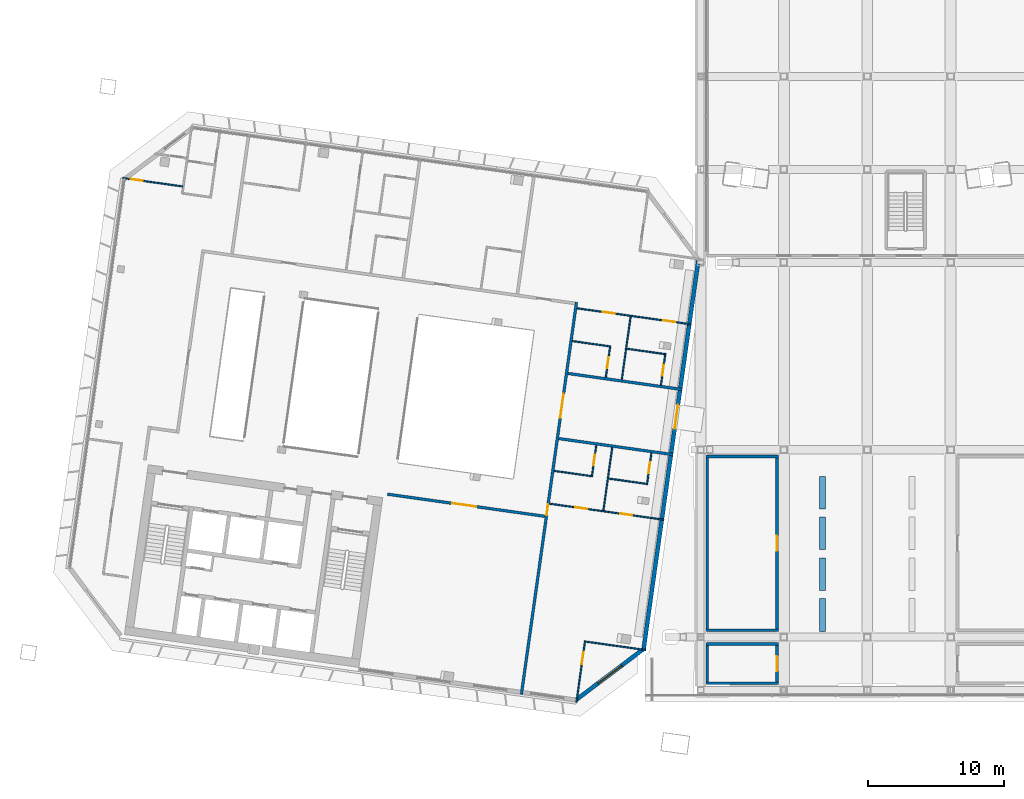
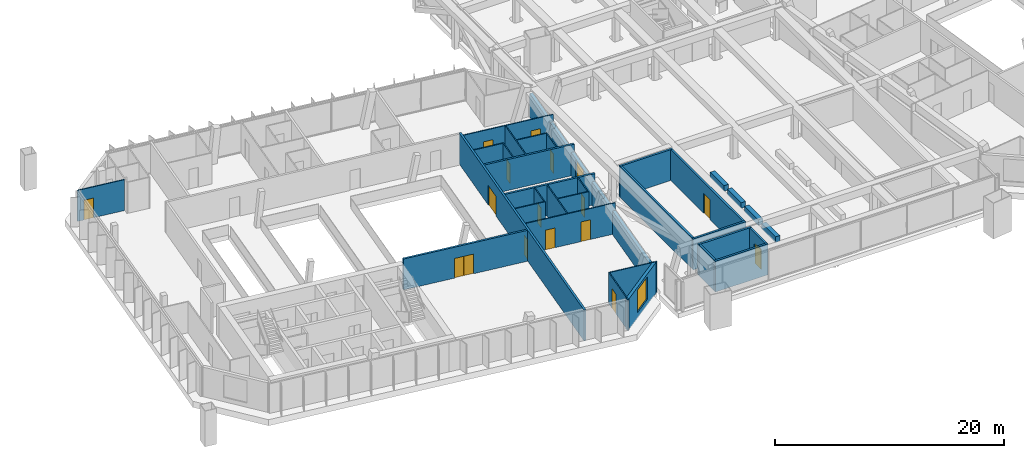
# One storey, part 16 of 25: 33 walls, 16 doors, 1 window, 17 openings.
"""IFC4 building model written with IfcOpenShell, lengths in metres."""

from ifc_helpers import new_model, si_unit, direction, frame, frame_2d, origin, place, context, subcontext, project, spatial, rectangle, extrude, material, layer, layer_set, type_object, element, fill, save


model = new_model("IFC4")

# Units and contexts
model_context = context("Model", 3, precision=1e-05, world=origin(), true_north=direction((0.0, 1.0)))
body_context = subcontext(model_context, "Body", "Model", "MODEL_VIEW")
ifc_project = project(units=[si_unit("LENGTHUNIT", "METRE"), si_unit("AREAUNIT", "SQUARE_METRE"), si_unit("VOLUMEUNIT", "CUBIC_METRE"), si_unit("PLANEANGLEUNIT", "RADIAN"), si_unit("MASSUNIT", "GRAM", prefix="KILO")], contexts=[model_context])

# Site, building, storey
site_placement = place(None, origin())
site = spatial("IfcSite", under=ifc_project, at=site_placement, CompositionType="ELEMENT")
building_placement = place(site_placement, origin())
building = spatial("IfcBuilding", under=site, at=building_placement, Name="Mirante Cascada Hotel Towers", CompositionType="ELEMENT")
storey_placement = place(building_placement, frame((0.0, 0.0, 266.0)))
storey = spatial("IfcBuildingStorey", under=building, at=storey_placement, Name="L64", CompositionType="ELEMENT", Elevation=266.0)

# Wall, opening, door
ifc_material_1 = material(Name="Fire-rated plasterboard on metal studs")
ifc_layer_1 = layer(ifc_material_1, 0.2)
ifc_layer_set_1 = layer_set([ifc_layer_1], Name="Compartment wall 200 EI 120")
wall_type_1 = type_object("IfcWallType", Name="Compartment wall 200 EI 120", PredefinedType="PARTITIONING", material=ifc_layer_set_1)
wall_1_placement = place(storey_placement, frame((-23.6773, -8.7456, 0.0), z_axis=(0.0, 0.0, 1.0), x_axis=(-0.9902683, 0.1391714, 0.0)))
wall_1 = element("IfcWall", 1, at=wall_1_placement, inside=storey, type_object=wall_type_1, Name="Wall 1-L64-03", PredefinedType="PARTITIONING", context=body_context, shape_type="SweptSolid", body=[
    extrude(rectangle(XDim=11.7, YDim=0.2, at=frame_2d((5.85, 0.0))), origin(), (0.0, 0.0, 1.0), 3.3),
])
opening_1_placement = place(wall_1_placement, frame((5.1, 0.0, 0.0)))
opening_1 = element("IfcOpeningElement", 2, at=opening_1_placement, cuts=wall_1, Name="Opening D1-L64-01", PredefinedType="OPENING", context=body_context, shape_type="SweptSolid", body=[
    extrude(rectangle(XDim=1.8, YDim=2.1, at=frame_2d((0.9, 1.05))), frame((0.0, 0.1, 0.0), z_axis=(0.0, -1.0, 0.0), x_axis=(1.0, 0.0, 0.0)), (0.0, 0.0, 1.0), 0.2),
])
ifc_material_2 = material(Name="Fire-rated timber door leaf", Category="wood")
door_type_1 = type_object("IfcDoorType", Name="Suite double door DG2 1800x2100 EI 60", OperationType="DOUBLE_DOOR_SINGLE_SWING", PredefinedType="DOOR", material=ifc_material_2)
door_1_placement = place(opening_1_placement, origin())
door_1 = element("IfcDoor", 3, at=door_1_placement, inside=storey, type_object=door_type_1, Name="Door D1-L64-01", OperationType="DOUBLE_DOOR_SINGLE_SWING", OverallHeight=2.1, OverallWidth=1.8, PredefinedType="DOOR", context=body_context, shape_type="SweptSolid", body=[
    extrude(rectangle(XDim=0.895, YDim=2.1, at=frame_2d((0.4475, 1.05))), frame((0.0, 0.025, 0.0), z_axis=(0.0, -1.0, 0.0), x_axis=(1.0, 0.0, 0.0)), (0.0, 0.0, 1.0), 0.05),
    extrude(rectangle(XDim=0.895, YDim=2.1, at=frame_2d((1.3525, 1.05))), frame((0.0, 0.025, 0.0), z_axis=(0.0, -1.0, 0.0), x_axis=(1.0, 0.0, 0.0)), (0.0, 0.0, 1.0), 0.05),
])
fill(opening_1, door_1)

# Walls
wall_2_placement = place(storey_placement, frame((-14.2694, -4.2108, 0.0), z_axis=(0.0, 0.0, 1.0), x_axis=(-0.9902682, 0.1391721, 0.0)))
element("IfcWall", 4, at=wall_2_placement, inside=storey, type_object=wall_type_1, Name="Wall 1-L64-09", PredefinedType="PARTITIONING", context=body_context, shape_type="SweptSolid", body=[
    extrude(rectangle(XDim=8.4852, YDim=0.2, at=frame_2d((4.2426, 0.0))), origin(), (0.0, 0.0, 1.0), 3.3),
])
wall_3_placement = place(storey_placement, frame((-21.9994, 1.7564, 0.0), z_axis=(0.0, 0.0, 1.0), x_axis=(0.9902684, -0.1391705, 0.0)))
element("IfcWall", 5, at=wall_3_placement, inside=storey, type_object=wall_type_1, Name="Wall 1-L64-10", PredefinedType="PARTITIONING", context=body_context, shape_type="SweptSolid", body=[
    extrude(rectangle(XDim=8.4853, YDim=0.2, at=frame_2d((4.2426, 0.0))), origin(), (0.0, 0.0, 1.0), 3.3),
])

# Wall, openings, doors
wall_4_placement = place(storey_placement, frame((-25.4153, -21.8311, 0.0), z_axis=(0.0, 0.0, 1.0), x_axis=(0.1391718, 0.9902682, 0.0)))
wall_4 = element("IfcWall", 6, at=wall_4_placement, inside=storey, type_object=wall_type_1, Name="Wall 1-L64-33", PredefinedType="PARTITIONING", context=body_context, shape_type="SweptSolid", body=[
    extrude(rectangle(XDim=29.1, YDim=0.2, at=frame_2d((14.55, 0.0))), origin(), (0.0, 0.0, 1.0), 3.3),
])
opening_2_placement = place(wall_4_placement, frame((13.305, 0.0, 0.0)))
opening_2 = element("IfcOpeningElement", 7, at=opening_2_placement, cuts=wall_4, Name="Opening D1-L64-22", PredefinedType="OPENING", context=body_context, shape_type="SweptSolid", body=[
    extrude(rectangle(XDim=0.8, YDim=2.1, at=frame_2d((0.4, 1.05))), frame((0.0, 0.1, 0.0), z_axis=(0.0, -1.0, 0.0), x_axis=(1.0, 0.0, 0.0)), (0.0, 0.0, 1.0), 0.2),
])
opening_3_placement = place(wall_4_placement, frame((20.5166, 0.0, 0.0)))
opening_3 = element("IfcOpeningElement", 8, at=opening_3_placement, cuts=wall_4, Name="Opening D1-L64-23", PredefinedType="OPENING", context=body_context, shape_type="SweptSolid", body=[
    extrude(rectangle(XDim=1.8, YDim=2.1, at=frame_2d((0.9, 1.05))), frame((0.0, 0.1, 0.0), z_axis=(0.0, -1.0, 0.0), x_axis=(1.0, 0.0, 0.0)), (0.0, 0.0, 1.0), 0.2),
])
ifc_material_3 = material(Name="Fire-rated timber door leaf", Category="wood")
door_type_2 = type_object("IfcDoorType", Name="Bathroom door DG4 800x2100 EI 60", OperationType="SINGLE_SWING_LEFT", PredefinedType="DOOR", material=ifc_material_3)
door_2_placement = place(opening_2_placement, frame((0.8, 0.0, 0.0), z_axis=(0.0, 0.0, 1.0), x_axis=(-1.0, 0.0, 0.0)))
door_2 = element("IfcDoor", 9, at=door_2_placement, inside=storey, type_object=door_type_2, Name="Door D1-L64-22", OperationType="SINGLE_SWING_RIGHT", OverallHeight=2.1, OverallWidth=0.8, PredefinedType="DOOR", context=body_context, shape_type="SweptSolid", body=[
    extrude(rectangle(XDim=0.8, YDim=2.1, at=frame_2d((0.4, 1.05))), frame((0.0, 0.025, 0.0), z_axis=(0.0, -1.0, 0.0), x_axis=(1.0, 0.0, 0.0)), (0.0, 0.0, 1.0), 0.05),
])
fill(opening_2, door_2)
door_3_placement = place(opening_3_placement, origin())
door_3 = element("IfcDoor", 10, at=door_3_placement, inside=storey, type_object=door_type_1, Name="Door D1-L64-23", OperationType="DOUBLE_DOOR_SINGLE_SWING", OverallHeight=2.1, OverallWidth=1.8, PredefinedType="DOOR", context=body_context, shape_type="SweptSolid", body=[
    extrude(rectangle(XDim=0.895, YDim=2.1, at=frame_2d((0.4475, 1.05))), frame((0.0, 0.025, 0.0), z_axis=(0.0, -1.0, 0.0), x_axis=(1.0, 0.0, 0.0)), (0.0, 0.0, 1.0), 0.05),
    extrude(rectangle(XDim=0.895, YDim=2.1, at=frame_2d((1.3525, 1.05))), frame((0.0, 0.025, 0.0), z_axis=(0.0, -1.0, 0.0), x_axis=(1.0, 0.0, 0.0)), (0.0, 0.0, 1.0), 0.05),
])
fill(opening_3, door_3)

# Walls
ifc_material_4 = material(Name="Masonry block", Category="masonry")
ifc_layer_2 = layer(ifc_material_4, 0.2)
ifc_layer_set_2 = layer_set([ifc_layer_2], Name="Deck room wall 200 block EI 120")
wall_type_2 = type_object("IfcWallType", Name="Deck room wall 200 block EI 120", PredefinedType="PARTITIONING", material=ifc_layer_set_2)
for number, where, z_axis, x_axis, name in (
    (11, (-11.85, -21.02, 0.0), (0.0, 0.0, 1.0), (1.0, 0.0, 0.0), "Sky park fire wall L64 W1"),
    (12, (-11.85, -18.12, 0.0), (0.0, 0.0, 1.0), (1.0, 0.0, 0.0), "Sky park fire wall L64 W2"),
):
    element("IfcWall", number, at=place(storey_placement, frame(where, z_axis=z_axis, x_axis=x_axis)), inside=storey, type_object=wall_type_2, Name=name, PredefinedType="PARTITIONING", context=body_context, shape_type="SweptSolid", body=[
        extrude(rectangle(XDim=5.32, YDim=0.2, at=frame_2d((2.66, 0.0))), origin(), (0.0, 0.0, 1.0), 3.3),
    ])
wall_5_placement = place(storey_placement, frame((-11.75, -20.92, 0.0), z_axis=(0.0, 0.0, 1.0), x_axis=(0.0, 1.0, 0.0)))
element("IfcWall", 13, at=wall_5_placement, inside=storey, type_object=wall_type_2, Name="Sky park fire wall L64 W3", PredefinedType="PARTITIONING", context=body_context, shape_type="SweptSolid", body=[
    extrude(rectangle(XDim=2.7, YDim=0.2, at=frame_2d((1.35, 0.0))), origin(), (0.0, 0.0, 1.0), 3.3),
])

# Wall, opening, door
wall_6_placement = place(storey_placement, frame((-6.63, -20.92, 0.0), z_axis=(0.0, 0.0, 1.0), x_axis=(0.0, 1.0, 0.0)))
wall_6 = element("IfcWall", 14, at=wall_6_placement, inside=storey, type_object=wall_type_2, Name="Sky park fire wall L64 W4", PredefinedType="PARTITIONING", context=body_context, shape_type="SweptSolid", body=[
    extrude(rectangle(XDim=2.7, YDim=0.2, at=frame_2d((1.35, 0.0))), origin(), (0.0, 0.0, 1.0), 3.3),
])
opening_4_placement = place(wall_6_placement, frame((0.8, 0.0, 0.0)))
opening_4 = element("IfcOpeningElement", 15, at=opening_4_placement, cuts=wall_6, Name="Opening DD-64-01", PredefinedType="OPENING", context=body_context, shape_type="SweptSolid", body=[
    extrude(rectangle(XDim=1.1, YDim=2.1, at=frame_2d((0.55, 1.05))), frame((0.0, 0.1, 0.0), z_axis=(0.0, -1.0, 0.0), x_axis=(1.0, 0.0, 0.0)), (0.0, 0.0, 1.0), 0.2),
])
ifc_material_5 = material(Name="Hollow metal fire door leaf")
door_type_3 = type_object("IfcDoorType", Name="Fire door 1100x2100 FD60 self-closing", OperationType="NOTDEFINED", PredefinedType="DOOR", material=ifc_material_5)
door_4_placement = place(opening_4_placement, origin())
door_4 = element("IfcDoor", 16, at=door_4_placement, inside=storey, type_object=door_type_3, Name="Fire door sky park L64 d1", OperationType="SINGLE_SWING_LEFT", OverallHeight=2.1, OverallWidth=1.1, PredefinedType="DOOR", context=body_context, shape_type="SweptSolid", body=[
    extrude(rectangle(XDim=1.1, YDim=2.1, at=frame_2d((0.55, 1.05))), frame((0.0, 0.025, 0.0), z_axis=(0.0, -1.0, 0.0), x_axis=(1.0, 0.0, 0.0)), (0.0, 0.0, 1.0), 0.05),
])
fill(opening_4, door_4)

# Walls
for number, where, z_axis, x_axis, name in (
    (17, (-11.85, -17.12, 0.0), (0.0, 0.0, 1.0), (1.0, 0.0, 0.0), "Sky park fire wall L64 W5"),
    (18, (-11.85, -4.35, 0.0), (0.0, 0.0, 1.0), (1.0, 0.0, 0.0), "Sky park fire wall L64 W6"),
):
    element("IfcWall", number, at=place(storey_placement, frame(where, z_axis=z_axis, x_axis=x_axis)), inside=storey, type_object=wall_type_2, Name=name, PredefinedType="PARTITIONING", context=body_context, shape_type="SweptSolid", body=[
        extrude(rectangle(XDim=5.32, YDim=0.2, at=frame_2d((2.66, 0.0))), origin(), (0.0, 0.0, 1.0), 3.3),
    ])
wall_7_placement = place(storey_placement, frame((-11.75, -17.02, 0.0), z_axis=(0.0, 0.0, 1.0), x_axis=(0.0, 1.0, 0.0)))
element("IfcWall", 19, at=wall_7_placement, inside=storey, type_object=wall_type_2, Name="Sky park fire wall L64 W7", PredefinedType="PARTITIONING", context=body_context, shape_type="SweptSolid", body=[
    extrude(rectangle(XDim=12.57, YDim=0.2, at=frame_2d((6.285, 0.0))), origin(), (0.0, 0.0, 1.0), 3.3),
])

# Wall, opening, door
wall_8_placement = place(storey_placement, frame((-6.63, -17.02, 0.0), z_axis=(0.0, 0.0, 1.0), x_axis=(0.0, 1.0, 0.0)))
wall_8 = element("IfcWall", 20, at=wall_8_placement, inside=storey, type_object=wall_type_2, Name="Sky park fire wall L64 W8", PredefinedType="PARTITIONING", context=body_context, shape_type="SweptSolid", body=[
    extrude(rectangle(XDim=12.57, YDim=0.2, at=frame_2d((6.285, 0.0))), origin(), (0.0, 0.0, 1.0), 3.3),
])
opening_5_placement = place(wall_8_placement, frame((5.735, 0.0, 0.0)))
opening_5 = element("IfcOpeningElement", 21, at=opening_5_placement, cuts=wall_8, Name="Opening DD-64-02", PredefinedType="OPENING", context=body_context, shape_type="SweptSolid", body=[
    extrude(rectangle(XDim=1.1, YDim=2.1, at=frame_2d((0.55, 1.05))), frame((0.0, 0.1, 0.0), z_axis=(0.0, -1.0, 0.0), x_axis=(1.0, 0.0, 0.0)), (0.0, 0.0, 1.0), 0.2),
])
door_5_placement = place(opening_5_placement, origin())
door_5 = element("IfcDoor", 22, at=door_5_placement, inside=storey, type_object=door_type_3, Name="Fire door sky park L64 d2", OperationType="SINGLE_SWING_LEFT", OverallHeight=2.1, OverallWidth=1.1, PredefinedType="DOOR", context=body_context, shape_type="SweptSolid", body=[
    extrude(rectangle(XDim=1.1, YDim=2.1, at=frame_2d((0.55, 1.05))), frame((0.0, 0.025, 0.0), z_axis=(0.0, -1.0, 0.0), x_axis=(1.0, 0.0, 0.0)), (0.0, 0.0, 1.0), 0.05),
])
fill(opening_5, door_5)

# Walls
ifc_material_6 = material(Name="Precast concrete C40/50", Category="concrete")
ifc_layer_3 = layer(ifc_material_6, 0.45)
ifc_layer_set_3 = layer_set([ifc_layer_3], Name="Interior planter wall 450 concrete C40/50")
wall_type_3 = type_object("IfcWallType", Name="Interior planter wall 450 concrete C40/50", PredefinedType="PARAPET", material=ifc_layer_set_3)
for number, where, z_axis, x_axis, name in (
    (23, (-3.3, -17.2, 0.0), (0.0, 0.0, 1.0), (0.0, 1.0, 0.0), "PLANTER sky garden walk bed L64 1"),
    (24, (-3.3, -14.2, 0.0), (0.0, 0.0, 1.0), (0.0, 1.0, 0.0), "PLANTER sky garden walk bed L64 2"),
    (25, (-3.3, -11.2, 0.0), (0.0, 0.0, 1.0), (0.0, 1.0, 0.0), "PLANTER sky garden walk bed L64 3"),
    (26, (-3.3, -8.2, 0.0), (0.0, 0.0, 1.0), (0.0, 1.0, 0.0), "PLANTER sky garden walk bed L64 4"),
):
    element("IfcWall", number, at=place(storey_placement, frame(where, z_axis=z_axis, x_axis=x_axis)), inside=storey, type_object=wall_type_3, Name=name, PredefinedType="PARAPET", context=body_context, shape_type="SweptSolid", body=[
        extrude(rectangle(XDim=2.4, YDim=0.45, at=frame_2d((1.2, 0.0))), origin(), (0.0, 0.0, 1.0), 0.6),
    ])
ifc_material_7 = material(Name="Plasterboard on metal studs")
ifc_layer_4 = layer(ifc_material_7, 0.1)
ifc_layer_set_4 = layer_set([ifc_layer_4], Name="Partition 100")
wall_type_4 = type_object("IfcWallType", Name="Partition 100", PredefinedType="PARTITIONING", material=ifc_layer_set_4)
wall_9_placement = place(storey_placement, frame((-16.2874, -18.5697, 0.0), z_axis=(0.0, 0.0, 1.0), x_axis=(-0.9902661, 0.1391871, 0.0)))
element("IfcWall", 27, at=wall_9_placement, inside=storey, type_object=wall_type_4, Name="Wall 1-L64-01", PredefinedType="PARTITIONING", context=body_context, shape_type="SweptSolid", body=[
    extrude(rectangle(XDim=4.55, YDim=0.1, at=frame_2d((2.275, 0.0))), origin(), (0.0, 0.0, 1.0), 3.3),
])

# Wall, openings, doors
wall_10_placement = place(storey_placement, frame((-23.3447, -7.8161, 0.0), z_axis=(0.0, 0.0, 1.0), x_axis=(0.9902666, -0.1391837, 0.0)))
wall_10 = element("IfcWall", 28, at=wall_10_placement, inside=storey, type_object=wall_type_4, Name="Wall 1-L64-04", PredefinedType="PARTITIONING", context=body_context, shape_type="SweptSolid", body=[
    extrude(rectangle(XDim=8.4852, YDim=0.1, at=frame_2d((4.2426, 0.0))), origin(), (0.0, 0.0, 1.0), 3.3),
])
opening_6_placement = place(wall_10_placement, frame((5.2352, 0.0, 0.0)))
opening_6 = element("IfcOpeningElement", 29, at=opening_6_placement, cuts=wall_10, Name="Opening D1-L64-02", PredefinedType="OPENING", context=body_context, shape_type="SweptSolid", body=[
    extrude(rectangle(XDim=0.9, YDim=2.1, at=frame_2d((0.45, 1.05))), frame((0.0, 0.05, 0.0), z_axis=(0.0, -1.0, 0.0), x_axis=(1.0, 0.0, 0.0)), (0.0, 0.0, 1.0), 0.1),
])
opening_7_placement = place(wall_10_placement, frame((1.8963, 0.0, 0.0)))
opening_7 = element("IfcOpeningElement", 30, at=opening_7_placement, cuts=wall_10, Name="Opening D1-L64-03", PredefinedType="OPENING", context=body_context, shape_type="SweptSolid", body=[
    extrude(rectangle(XDim=0.9, YDim=2.1, at=frame_2d((0.45, 1.05))), frame((0.0, 0.05, 0.0), z_axis=(0.0, -1.0, 0.0), x_axis=(1.0, 0.0, 0.0)), (0.0, 0.0, 1.0), 0.1),
])
ifc_material_8 = material(Name="Timber door leaf", Category="wood")
door_type_4 = type_object("IfcDoorType", Name="Room door DG3 900x2100", OperationType="SINGLE_SWING_LEFT", PredefinedType="DOOR", material=ifc_material_8)
door_6_placement = place(opening_6_placement, frame((0.9, 0.0, 0.0), z_axis=(0.0, 0.0, 1.0), x_axis=(-1.0, 0.0, 0.0)))
door_6 = element("IfcDoor", 31, at=door_6_placement, inside=storey, type_object=door_type_4, Name="Door D1-L64-02", OperationType="SINGLE_SWING_RIGHT", OverallHeight=2.1, OverallWidth=0.9, PredefinedType="DOOR", context=body_context, shape_type="SweptSolid", body=[
    extrude(rectangle(XDim=0.9, YDim=2.1, at=frame_2d((0.45, 1.05))), frame((0.0, 0.025, 0.0), z_axis=(0.0, -1.0, 0.0), x_axis=(1.0, 0.0, 0.0)), (0.0, 0.0, 1.0), 0.05),
])
fill(opening_6, door_6)
door_7_placement = place(opening_7_placement, frame((0.9, 0.0, 0.0), z_axis=(0.0, 0.0, 1.0), x_axis=(-1.0, 0.0, 0.0)))
door_7 = element("IfcDoor", 32, at=door_7_placement, inside=storey, type_object=door_type_4, Name="Door D1-L64-03", OperationType="SINGLE_SWING_RIGHT", OverallHeight=2.1, OverallWidth=0.9, PredefinedType="DOOR", context=body_context, shape_type="SweptSolid", body=[
    extrude(rectangle(XDim=0.9, YDim=2.1, at=frame_2d((0.45, 1.05))), frame((0.0, 0.025, 0.0), z_axis=(0.0, -1.0, 0.0), x_axis=(1.0, 0.0, 0.0)), (0.0, 0.0, 1.0), 0.05),
])
fill(opening_7, door_7)

# Walls
wall_11_placement = place(storey_placement, frame((-16.131, -6.3727, 0.0), z_axis=(0.0, 0.0, 1.0), x_axis=(-0.9902695, 0.1391626, 0.0)))
element("IfcWall", 33, at=wall_11_placement, inside=storey, type_object=wall_type_4, Name="Wall 1-L64-07", PredefinedType="PARTITIONING", context=body_context, shape_type="SweptSolid", body=[
    extrude(rectangle(XDim=2.9074, YDim=0.1, at=frame_2d((1.4537, 0.0))), origin(), (0.0, 0.0, 1.0), 3.3),
])
wall_12_placement = place(storey_placement, frame((-23.006, -5.4065, 0.0), z_axis=(0.0, 0.0, 1.0), x_axis=(0.9902649, -0.1391957, 0.0)))
element("IfcWall", 34, at=wall_12_placement, inside=storey, type_object=wall_type_4, Name="Wall 1-L64-08", PredefinedType="PARTITIONING", context=body_context, shape_type="SweptSolid", body=[
    extrude(rectangle(XDim=2.8499, YDim=0.1, at=frame_2d((1.425, 0.0))), origin(), (0.0, 0.0, 1.0), 3.3),
])
wall_13_placement = place(storey_placement, frame((-14.7903, 3.1668, 0.0), z_axis=(0.0, 0.0, 1.0), x_axis=(-0.9902695, 0.1391626, 0.0)))
element("IfcWall", 35, at=wall_13_placement, inside=storey, type_object=wall_type_4, Name="Wall 1-L64-11", PredefinedType="PARTITIONING", context=body_context, shape_type="SweptSolid", body=[
    extrude(rectangle(XDim=2.9074, YDim=0.1, at=frame_2d((1.4537, 0.0))), origin(), (0.0, 0.0, 1.0), 3.3),
])
wall_14_placement = place(storey_placement, frame((-21.6653, 4.133, 0.0), z_axis=(0.0, 0.0, 1.0), x_axis=(0.9902697, -0.1391613, 0.0)))
element("IfcWall", 36, at=wall_14_placement, inside=storey, type_object=wall_type_4, Name="Wall 1-L64-12", PredefinedType="PARTITIONING", context=body_context, shape_type="SweptSolid", body=[
    extrude(rectangle(XDim=2.8499, YDim=0.1, at=frame_2d((1.425, 0.0))), origin(), (0.0, 0.0, 1.0), 3.3),
])

# Wall, openings, doors
wall_15_placement = place(storey_placement, frame((-12.924, 5.3618, 0.0), z_axis=(0.0, 0.0, 1.0), x_axis=(-0.9902684, 0.1391705, 0.0)))
wall_15 = element("IfcWall", 37, at=wall_15_placement, inside=storey, type_object=wall_type_4, Name="Wall 1-L64-13", PredefinedType="PARTITIONING", context=body_context, shape_type="SweptSolid", body=[
    extrude(rectangle(XDim=8.4853, YDim=0.1, at=frame_2d((4.2426, 0.0))), origin(), (0.0, 0.0, 1.0), 3.3),
])
opening_8_placement = place(wall_15_placement, frame((1.1963, 0.0, 0.0)))
opening_8 = element("IfcOpeningElement", 38, at=opening_8_placement, cuts=wall_15, Name="Opening D1-L64-04", PredefinedType="OPENING", context=body_context, shape_type="SweptSolid", body=[
    extrude(rectangle(XDim=0.9, YDim=2.1, at=frame_2d((0.45, 1.05))), frame((0.0, 0.05, 0.0), z_axis=(0.0, -1.0, 0.0), x_axis=(1.0, 0.0, 0.0)), (0.0, 0.0, 1.0), 0.1),
])
opening_9_placement = place(wall_15_placement, frame((5.6889, 0.0, 0.0)))
opening_9 = element("IfcOpeningElement", 39, at=opening_9_placement, cuts=wall_15, Name="Opening D1-L64-05", PredefinedType="OPENING", context=body_context, shape_type="SweptSolid", body=[
    extrude(rectangle(XDim=0.9, YDim=2.1, at=frame_2d((0.45, 1.05))), frame((0.0, 0.05, 0.0), z_axis=(0.0, -1.0, 0.0), x_axis=(1.0, 0.0, 0.0)), (0.0, 0.0, 1.0), 0.1),
])
door_8_placement = place(opening_8_placement, frame((0.9, 0.0, 0.0), z_axis=(0.0, 0.0, 1.0), x_axis=(-1.0, 0.0, 0.0)))
door_8 = element("IfcDoor", 40, at=door_8_placement, inside=storey, type_object=door_type_4, Name="Door D1-L64-04", OperationType="SINGLE_SWING_RIGHT", OverallHeight=2.1, OverallWidth=0.9, PredefinedType="DOOR", context=body_context, shape_type="SweptSolid", body=[
    extrude(rectangle(XDim=0.9, YDim=2.1, at=frame_2d((0.45, 1.05))), frame((0.0, 0.025, 0.0), z_axis=(0.0, -1.0, 0.0), x_axis=(1.0, 0.0, 0.0)), (0.0, 0.0, 1.0), 0.05),
])
fill(opening_8, door_8)
door_9_placement = place(opening_9_placement, frame((0.9, 0.0, 0.0), z_axis=(0.0, 0.0, 1.0), x_axis=(-1.0, 0.0, 0.0)))
door_9 = element("IfcDoor", 41, at=door_9_placement, inside=storey, type_object=door_type_4, Name="Door D1-L64-05", OperationType="SINGLE_SWING_RIGHT", OverallHeight=2.1, OverallWidth=0.9, PredefinedType="DOOR", context=body_context, shape_type="SweptSolid", body=[
    extrude(rectangle(XDim=0.9, YDim=2.1, at=frame_2d((0.45, 1.05))), frame((0.0, 0.025, 0.0), z_axis=(0.0, -1.0, 0.0), x_axis=(1.0, 0.0, 0.0)), (0.0, 0.0, 1.0), 0.05),
])
fill(opening_9, door_9)

# Wall, opening, door
wall_16_placement = place(storey_placement, frame((-54.7192, 16.1166, 0.0), z_axis=(0.0, 0.0, 1.0), x_axis=(0.9902656, -0.1391904, 0.0)))
wall_16 = element("IfcWall", 42, at=wall_16_placement, inside=storey, type_object=wall_type_4, Name="Wall 1-L64-20", PredefinedType="PARTITIONING", context=body_context, shape_type="SweptSolid", body=[
    extrude(rectangle(XDim=4.45, YDim=0.1, at=frame_2d((2.225, 0.0))), origin(), (0.0, 0.0, 1.0), 3.3),
])
opening_10_placement = place(wall_16_placement, frame((0.6, 0.0, 0.0)))
opening_10 = element("IfcOpeningElement", 43, at=opening_10_placement, cuts=wall_16, Name="Opening D1-L64-11", PredefinedType="OPENING", context=body_context, shape_type="SweptSolid", body=[
    extrude(rectangle(XDim=0.9, YDim=2.1, at=frame_2d((0.45, 1.05))), frame((0.0, 0.05, 0.0), z_axis=(0.0, -1.0, 0.0), x_axis=(1.0, 0.0, 0.0)), (0.0, 0.0, 1.0), 0.1),
])
door_10_placement = place(opening_10_placement, frame((0.9, 0.0, 0.0), z_axis=(0.0, 0.0, 1.0), x_axis=(-1.0, 0.0, 0.0)))
door_10 = element("IfcDoor", 44, at=door_10_placement, inside=storey, type_object=door_type_4, Name="Door D1-L64-11", OperationType="SINGLE_SWING_RIGHT", OverallHeight=2.1, OverallWidth=0.9, PredefinedType="DOOR", context=body_context, shape_type="SweptSolid", body=[
    extrude(rectangle(XDim=0.9, YDim=2.1, at=frame_2d((0.45, 1.05))), frame((0.0, 0.025, 0.0), z_axis=(0.0, -1.0, 0.0), x_axis=(1.0, 0.0, 0.0)), (0.0, 0.0, 1.0), 0.05),
])
fill(opening_10, door_10)

wall_17_placement = place(storey_placement, frame((-16.1736, -6.3163, 0.0), z_axis=(0.0, 0.0, 1.0), x_axis=(0.1391997, 0.9902643, 0.0)))
wall_17 = element("IfcWall", 45, at=wall_17_placement, inside=storey, type_object=wall_type_4, Name="Wall 1-L64-25", PredefinedType="PARTITIONING", context=body_context, shape_type="SweptSolid", body=[
    extrude(rectangle(XDim=2.25, YDim=0.1, at=frame_2d((1.125, 0.0))), origin(), (0.0, 0.0, 1.0), 3.3),
])
opening_11_placement = place(wall_17_placement, frame((0.75, 0.0, 0.0)))
opening_11 = element("IfcOpeningElement", 46, at=opening_11_placement, cuts=wall_17, Name="Opening D1-L64-16", PredefinedType="OPENING", context=body_context, shape_type="SweptSolid", body=[
    extrude(rectangle(XDim=0.8, YDim=2.1, at=frame_2d((0.4, 1.05))), frame((0.0, 0.05, 0.0), z_axis=(0.0, -1.0, 0.0), x_axis=(1.0, 0.0, 0.0)), (0.0, 0.0, 1.0), 0.1),
])
ifc_material_9 = material(Name="Timber door leaf", Category="wood")
door_type_5 = type_object("IfcDoorType", Name="Bathroom door DG4 800x2100", OperationType="SINGLE_SWING_LEFT", PredefinedType="DOOR", material=ifc_material_9)
door_11_placement = place(opening_11_placement, origin())
door_11 = element("IfcDoor", 47, at=door_11_placement, inside=storey, type_object=door_type_5, Name="Door D1-L64-16", OperationType="SINGLE_SWING_LEFT", OverallHeight=2.1, OverallWidth=0.8, PredefinedType="DOOR", context=body_context, shape_type="SweptSolid", body=[
    extrude(rectangle(XDim=0.8, YDim=2.1, at=frame_2d((0.4, 1.05))), frame((0.0, 0.025, 0.0), z_axis=(0.0, -1.0, 0.0), x_axis=(1.0, 0.0, 0.0)), (0.0, 0.0, 1.0), 0.05),
])
fill(opening_11, door_11)

wall_18_placement = place(storey_placement, frame((-14.8468, 3.1242, 0.0), z_axis=(0.0, 0.0, 1.0), x_axis=(-0.1391561, -0.9902705, 0.0)))
wall_18 = element("IfcWall", 48, at=wall_18_placement, inside=storey, type_object=wall_type_4, Name="Wall 1-L64-26", PredefinedType="PARTITIONING", context=body_context, shape_type="SweptSolid", body=[
    extrude(rectangle(XDim=2.25, YDim=0.1, at=frame_2d((1.125, 0.0))), origin(), (0.0, 0.0, 1.0), 3.3),
])
opening_12_placement = place(wall_18_placement, frame((0.75, 0.0, 0.0)))
opening_12 = element("IfcOpeningElement", 49, at=opening_12_placement, cuts=wall_18, Name="Opening D1-L64-17", PredefinedType="OPENING", context=body_context, shape_type="SweptSolid", body=[
    extrude(rectangle(XDim=0.8, YDim=2.1, at=frame_2d((0.4, 1.05))), frame((0.0, 0.05, 0.0), z_axis=(0.0, -1.0, 0.0), x_axis=(1.0, 0.0, 0.0)), (0.0, 0.0, 1.0), 0.1),
])
door_12_placement = place(opening_12_placement, frame((0.8, 0.0, 0.0), z_axis=(0.0, 0.0, 1.0), x_axis=(-1.0, 0.0, 0.0)))
door_12 = element("IfcDoor", 50, at=door_12_placement, inside=storey, type_object=door_type_5, Name="Door D1-L64-17", OperationType="SINGLE_SWING_RIGHT", OverallHeight=2.1, OverallWidth=0.8, PredefinedType="DOOR", context=body_context, shape_type="SweptSolid", body=[
    extrude(rectangle(XDim=0.8, YDim=2.1, at=frame_2d((0.4, 1.05))), frame((0.0, 0.025, 0.0), z_axis=(0.0, -1.0, 0.0), x_axis=(1.0, 0.0, 0.0)), (0.0, 0.0, 1.0), 0.05),
])
fill(opening_12, door_12)

wall_19_placement = place(storey_placement, frame((-21.3699, -22.3996, 0.0), z_axis=(0.0, 0.0, 1.0), x_axis=(0.1391684, 0.9902687, 0.0)))
wall_19 = element("IfcWall", 51, at=wall_19_placement, inside=storey, type_object=wall_type_4, Name="Wall 1-L64-27", PredefinedType="PARTITIONING", context=body_context, shape_type="SweptSolid", body=[
    extrude(rectangle(XDim=4.45, YDim=0.1, at=frame_2d((2.225, 0.0))), origin(), (0.0, 0.0, 1.0), 3.3),
])
opening_13_placement = place(wall_19_placement, frame((2.8, 0.0, 0.0)))
opening_13 = element("IfcOpeningElement", 52, at=opening_13_placement, cuts=wall_19, Name="Opening D1-L64-18", PredefinedType="OPENING", context=body_context, shape_type="SweptSolid", body=[
    extrude(rectangle(XDim=0.9, YDim=2.1, at=frame_2d((0.45, 1.05))), frame((0.0, 0.05, 0.0), z_axis=(0.0, -1.0, 0.0), x_axis=(1.0, 0.0, 0.0)), (0.0, 0.0, 1.0), 0.1),
])
door_13_placement = place(opening_13_placement, frame((0.9, 0.0, 0.0), z_axis=(0.0, 0.0, 1.0), x_axis=(-1.0, 0.0, 0.0)))
door_13 = element("IfcDoor", 53, at=door_13_placement, inside=storey, type_object=door_type_4, Name="Door D1-L64-18", OperationType="SINGLE_SWING_RIGHT", OverallHeight=2.1, OverallWidth=0.9, PredefinedType="DOOR", context=body_context, shape_type="SweptSolid", body=[
    extrude(rectangle(XDim=0.9, YDim=2.1, at=frame_2d((0.45, 1.05))), frame((0.0, 0.025, 0.0), z_axis=(0.0, -1.0, 0.0), x_axis=(1.0, 0.0, 0.0)), (0.0, 0.0, 1.0), 0.05),
])
fill(opening_13, door_13)

# Walls
for number, where, z_axis, x_axis, name in (
    (54, (-18.7395, -3.6835, 0.0), (0.0, 0.0, 1.0), (-0.139173, -0.9902681, 0.0), "Wall 1-L64-28"),
    (55, (-18.039, 1.3008, 0.0), (0.0, 0.0, 1.0), (0.139173, 0.9902681, 0.0), "Wall 1-L64-29"),
):
    element("IfcWall", number, at=place(storey_placement, frame(where, z_axis=z_axis, x_axis=x_axis)), inside=storey, type_object=wall_type_4, Name=name, PredefinedType="PARTITIONING", context=body_context, shape_type="SweptSolid", body=[
        extrude(rectangle(XDim=4.6834, YDim=0.1, at=frame_2d((2.3417, 0.0))), origin(), (0.0, 0.0, 1.0), 3.3),
    ])

# Wall, opening, door
wall_20_placement = place(storey_placement, frame((-20.2263, -5.7467, 0.0), z_axis=(0.0, 0.0, 1.0), x_axis=(0.1391561, 0.9902705, 0.0)))
wall_20 = element("IfcWall", 56, at=wall_20_placement, inside=storey, type_object=wall_type_4, Name="Wall 1-L64-31", PredefinedType="PARTITIONING", context=body_context, shape_type="SweptSolid", body=[
    extrude(rectangle(XDim=2.25, YDim=0.1, at=frame_2d((1.125, 0.0))), origin(), (0.0, 0.0, 1.0), 3.3),
])
opening_14_placement = place(wall_20_placement, frame((0.75, 0.0, 0.0)))
opening_14 = element("IfcOpeningElement", 57, at=opening_14_placement, cuts=wall_20, Name="Opening D1-L64-20", PredefinedType="OPENING", context=body_context, shape_type="SweptSolid", body=[
    extrude(rectangle(XDim=0.8, YDim=2.1, at=frame_2d((0.4, 1.05))), frame((0.0, 0.05, 0.0), z_axis=(0.0, -1.0, 0.0), x_axis=(1.0, 0.0, 0.0)), (0.0, 0.0, 1.0), 0.1),
])
door_14_placement = place(opening_14_placement, origin())
door_14 = element("IfcDoor", 58, at=door_14_placement, inside=storey, type_object=door_type_5, Name="Door D1-L64-20", OperationType="SINGLE_SWING_LEFT", OverallHeight=2.1, OverallWidth=0.8, PredefinedType="DOOR", context=body_context, shape_type="SweptSolid", body=[
    extrude(rectangle(XDim=0.8, YDim=2.1, at=frame_2d((0.4, 1.05))), frame((0.0, 0.025, 0.0), z_axis=(0.0, -1.0, 0.0), x_axis=(1.0, 0.0, 0.0)), (0.0, 0.0, 1.0), 0.05),
])
fill(opening_14, door_14)

wall_21_placement = place(storey_placement, frame((-18.8995, 3.6938, 0.0), z_axis=(0.0, 0.0, 1.0), x_axis=(-0.1391997, -0.9902643, 0.0)))
wall_21 = element("IfcWall", 59, at=wall_21_placement, inside=storey, type_object=wall_type_4, Name="Wall 1-L64-32", PredefinedType="PARTITIONING", context=body_context, shape_type="SweptSolid", body=[
    extrude(rectangle(XDim=2.25, YDim=0.1, at=frame_2d((1.125, 0.0))), origin(), (0.0, 0.0, 1.0), 3.3),
])
opening_15_placement = place(wall_21_placement, frame((0.75, 0.0, 0.0)))
opening_15 = element("IfcOpeningElement", 60, at=opening_15_placement, cuts=wall_21, Name="Opening D1-L64-21", PredefinedType="OPENING", context=body_context, shape_type="SweptSolid", body=[
    extrude(rectangle(XDim=0.8, YDim=2.1, at=frame_2d((0.4, 1.05))), frame((0.0, 0.05, 0.0), z_axis=(0.0, -1.0, 0.0), x_axis=(1.0, 0.0, 0.0)), (0.0, 0.0, 1.0), 0.1),
])
door_15_placement = place(opening_15_placement, frame((0.8, 0.0, 0.0), z_axis=(0.0, 0.0, 1.0), x_axis=(-1.0, 0.0, 0.0)))
door_15 = element("IfcDoor", 61, at=door_15_placement, inside=storey, type_object=door_type_5, Name="Door D1-L64-21", OperationType="SINGLE_SWING_RIGHT", OverallHeight=2.1, OverallWidth=0.8, PredefinedType="DOOR", context=body_context, shape_type="SweptSolid", body=[
    extrude(rectangle(XDim=0.8, YDim=2.1, at=frame_2d((0.4, 1.05))), frame((0.0, 0.025, 0.0), z_axis=(0.0, -1.0, 0.0), x_axis=(1.0, 0.0, 0.0)), (0.0, 0.0, 1.0), 0.05),
])
fill(opening_15, door_15)

# Wall, opening, window
ifc_material_10 = material(Name="Precast concrete C40/50", Category="concrete")
ifc_layer_5 = layer(ifc_material_10, 0.3)
ifc_layer_set_5 = layer_set([ifc_layer_5], Name="Precast concrete C40/50 cladding wall 300")
wall_type_5 = type_object("IfcWallType", Name="Precast concrete C40/50 cladding wall 300", PredefinedType="STANDARD", material=ifc_layer_set_5)
wall_22_placement = place(storey_placement, frame((-16.4768, -18.5246, 0.0), z_axis=(0.0, 0.0, 1.0), x_axis=(-0.7986362, -0.6018141, 0.0)))
wall_22 = element("IfcWall", 62, at=wall_22_placement, inside=storey, type_object=wall_type_5, Name="Corner cladding wall T1 L64 inner rear", PredefinedType="STANDARD", context=body_context, shape_type="SweptSolid", body=[
    extrude(rectangle(XDim=6.1157, YDim=0.3, at=frame_2d((3.0578, 0.0))), origin(), (0.0, 0.0, 1.0), 3.3),
])
opening_16_placement = place(wall_22_placement, frame((1.9578, 0.0, 0.6)))
opening_16 = element("IfcOpeningElement", 63, at=opening_16_placement, cuts=wall_22, Name="Opening W1-64-08", PredefinedType="OPENING", context=body_context, shape_type="SweptSolid", body=[
    extrude(rectangle(XDim=2.2, YDim=2.4, at=frame_2d((1.1, 1.2))), frame((0.0, 0.15, 0.0), z_axis=(0.0, -1.0, 0.0), x_axis=(1.0, 0.0, 0.0)), (0.0, 0.0, 1.0), 0.3),
])
ifc_material_11 = material(Name="Aluminium frame with clear double glazing", Category="aluminium")
window_type = type_object("IfcWindowType", Name="Corner suite window 2200x2400", PartitioningType="DOUBLE_PANEL_VERTICAL", PredefinedType="WINDOW", material=ifc_material_11)
window_placement = place(opening_16_placement, origin())
window = element("IfcWindow", 64, at=window_placement, inside=storey, type_object=window_type, Name="Window W1-64-08", OverallHeight=2.4, OverallWidth=2.2, PartitioningType="SINGLE_PANEL", PredefinedType="WINDOW", context=body_context, shape_type="SweptSolid", body=[
    extrude(rectangle(XDim=2.2, YDim=2.4, at=frame_2d((1.1, 1.2))), frame((0.0, 0.03, 0.0), z_axis=(0.0, -1.0, 0.0), x_axis=(1.0, 0.0, 0.0)), (0.0, 0.0, 1.0), 0.06),
])
fill(opening_16, window)

# Wall, opening, door
ifc_material_12 = material(Name="Precast concrete C40/50", Category="concrete")
ifc_layer_6 = layer(ifc_material_12, 0.3)
ifc_layer_set_6 = layer_set([ifc_layer_6], Name="Precast concrete C40/50 link wall 300 EI 120")
wall_type_6 = type_object("IfcWallType", Name="Precast concrete C40/50 link wall 300 EI 120", PredefinedType="STANDARD", material=ifc_layer_set_6)
wall_23_placement = place(storey_placement, frame((-12.4086, 10.1074, 0.0), z_axis=(0.0, 0.0, 1.0), x_axis=(-0.1391723, -0.9902682, 0.0)))
wall_23 = element("IfcWall", 65, at=wall_23_placement, inside=storey, type_object=wall_type_6, Name="Link end wall T1 L64", PredefinedType="STANDARD", context=body_context, shape_type="SweptSolid", body=[
    extrude(rectangle(XDim=28.8757, YDim=0.3, at=frame_2d((14.4378, 0.0))), origin(), (0.0, 0.0, 1.0), 2.5),
])
opening_17_placement = place(wall_23_placement, frame((10.7499, 0.0, 0.0)))
opening_17 = element("IfcOpeningElement", 66, at=opening_17_placement, cuts=wall_23, Name="Opening D1-64-91", PredefinedType="OPENING", context=body_context, shape_type="SweptSolid", body=[
    extrude(rectangle(XDim=1.8, YDim=2.4, at=frame_2d((0.9, 1.2))), frame((0.0, 0.15, 0.0), z_axis=(0.0, -1.0, 0.0), x_axis=(1.0, 0.0, 0.0)), (0.0, 0.0, 1.0), 0.3),
])
ifc_material_13 = material(Name="Steel fire door leaf with glazed vision panel", Category="steel")
door_type_6 = type_object("IfcDoorType", Name="Link fire door 1800x2400 FD60", OperationType="DOUBLE_DOOR_SINGLE_SWING", PredefinedType="DOOR", material=ifc_material_13)
door_16_placement = place(opening_17_placement, origin())
door_16 = element("IfcDoor", 67, at=door_16_placement, inside=storey, type_object=door_type_6, Name="Link fire door D1-64-91", OperationType="DOUBLE_DOOR_SINGLE_SWING", OverallHeight=2.4, OverallWidth=1.8, PredefinedType="DOOR", context=body_context, shape_type="SweptSolid", body=[
    extrude(rectangle(XDim=0.895, YDim=2.4, at=frame_2d((0.4475, 1.2))), frame((0.0, 0.025, 0.0), z_axis=(0.0, -1.0, 0.0), x_axis=(1.0, 0.0, 0.0)), (0.0, 0.0, 1.0), 0.05),
    extrude(rectangle(XDim=0.895, YDim=2.4, at=frame_2d((1.3525, 1.2))), frame((0.0, 0.025, 0.0), z_axis=(0.0, -1.0, 0.0), x_axis=(1.0, 0.0, 0.0)), (0.0, 0.0, 1.0), 0.05),
])
fill(opening_17, door_16)

save(model, "model.ifc")
